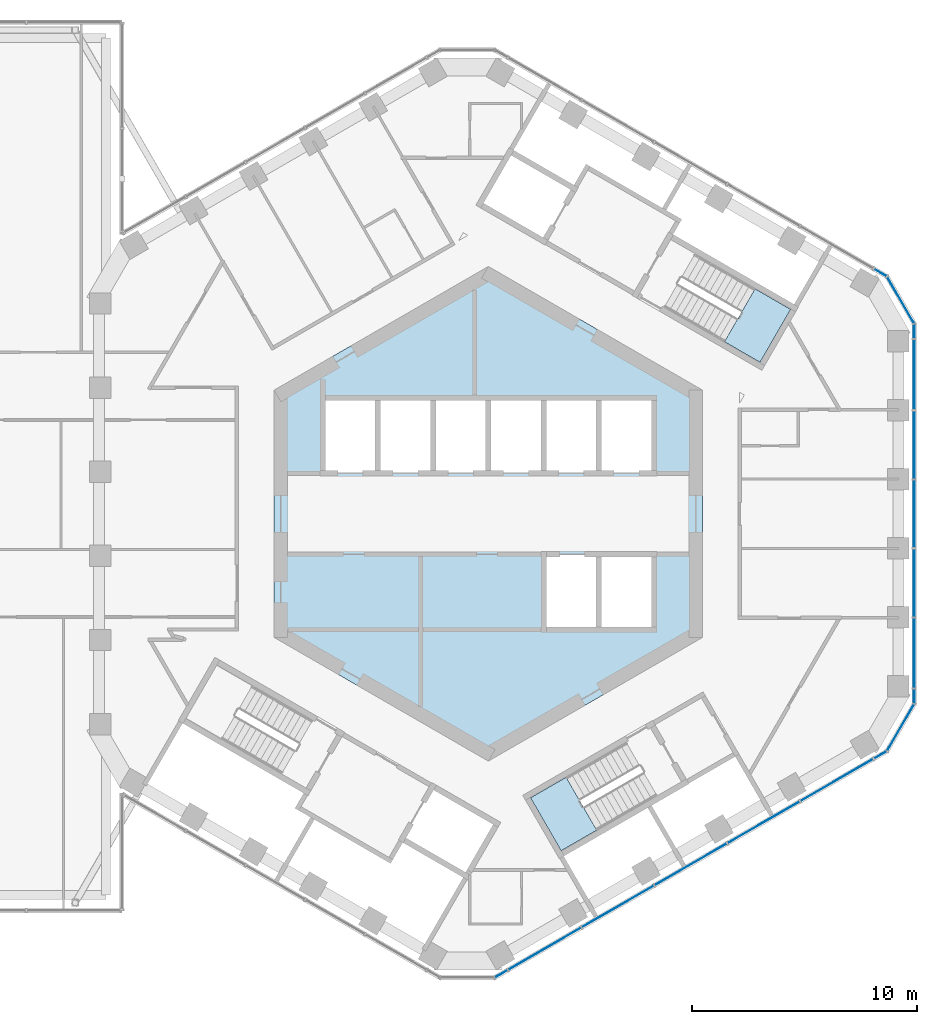
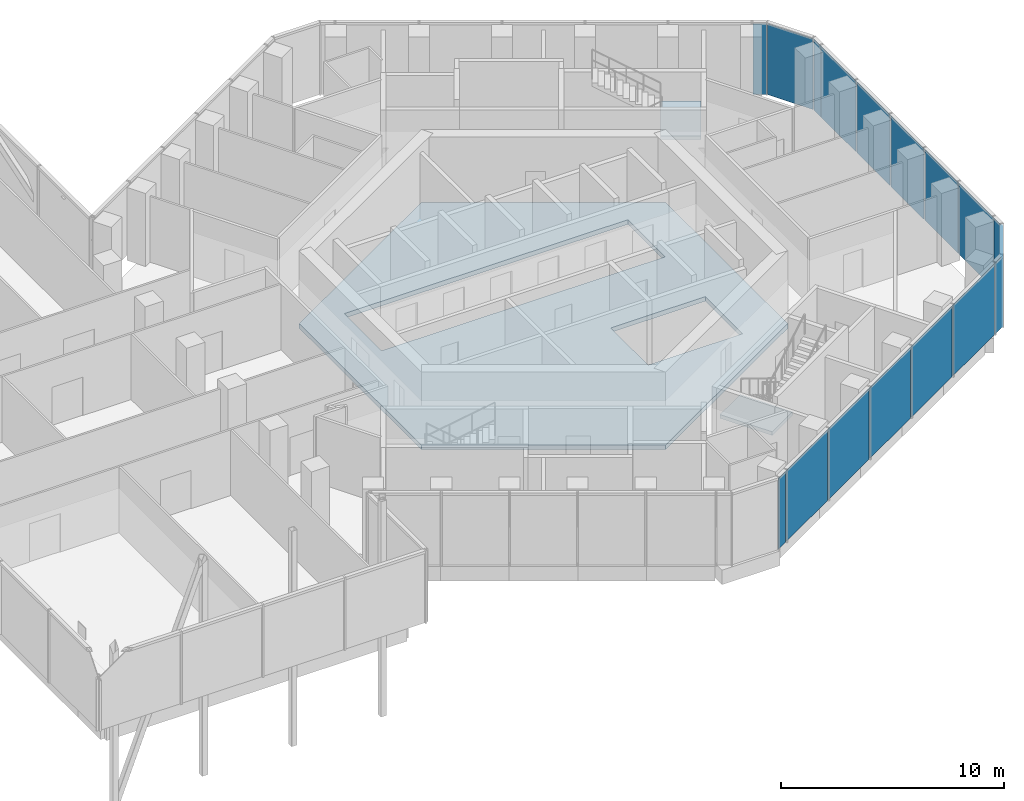
# One storey, part 11 of 21: 17 plates, 3 slabs, 7 elements without a shape of their own.
"""IFC4 building model written with IfcOpenShell, lengths in metres."""

from ifc_helpers import new_model, si_unit, direction, frame, origin, origin_2d, place, context, subcontext, project, spatial, polyline, rectangle, outline, extrude, material, layer, layer_set, type_object, element, aggregate, save


model = new_model("IFC4")

# Units and contexts
model_context = context("Model", 3, precision=1e-05, world=origin(), true_north=direction((0.0, 1.0)))
body_context = subcontext(model_context, "Body", "Model", "MODEL_VIEW")
ifc_project = project(units=[si_unit("LENGTHUNIT", "METRE"), si_unit("AREAUNIT", "SQUARE_METRE"), si_unit("VOLUMEUNIT", "CUBIC_METRE"), si_unit("PLANEANGLEUNIT", "RADIAN"), si_unit("MASSUNIT", "GRAM", prefix="KILO")], contexts=[model_context])

# Site, building, storey
site_placement = place(None, origin())
site = spatial("IfcSite", under=ifc_project, at=site_placement, CompositionType="ELEMENT")
building_placement = place(site_placement, origin())
building = spatial("IfcBuilding", under=site, at=building_placement, Name="Ayvan Gate Tower", CompositionType="ELEMENT")
storey_placement = place(building_placement, frame((0.0, 0.0, 206.10009765625)))
storey = spatial("IfcBuildingStorey", under=building, at=storey_placement, Name="L55", CompositionType="ELEMENT", Elevation=206.10009765625)

# Slab
ifc_material_1 = material(Name="Concrete C40/50", Category="concrete")
ifc_layer_1 = layer(ifc_material_1, 0.25)
ifc_layer_set_1 = layer_set([ifc_layer_1], Name="Concrete C40/50")
slab_type_1 = type_object("IfcSlabType", Name="SL-CORE-250", PredefinedType="FLOOR", material=ifc_layer_set_1)
slab_1_placement = place(storey_placement, frame((0.0, 0.0, -0.25)))
element("IfcSlab", 1, at=slab_1_placement, inside=storey, type_object=slab_type_1, Name="CS-L55", PredefinedType="FLOOR", context=body_context, shape_type="SweptSolid", body=[
    extrude(outline(polyline([(9.5, -5.48486328125), (0.0, -10.9697265625), (-9.5, -5.48486328125), (-9.5, 5.48486328125), (0.0, 10.9697265625), (9.5, 5.48486328125), (9.5, -5.48486328125)]), holes=[polyline([(-7.35009765625, 5.14990234375), (-7.35009765625, 1.800048828125), (7.35009765625, 1.800048828125), (7.35009765625, 5.14990234375), (-7.35009765625, 5.14990234375)]), polyline([(2.449951171875, -1.800048828125), (2.449951171875, -5.14990234375), (7.35009765625, -5.14990234375), (7.35009765625, -1.800048828125), (2.449951171875, -1.800048828125)])]), origin(), (0.0, 0.0, 1.0), 0.25),
])

# Stair, slab
stair_type = type_object("IfcStairType", Name="ST-EXIT", PredefinedType="HALF_TURN_STAIR", material=ifc_material_1)
stair_1_placement = place(storey_placement, origin())
stair_1 = element("IfcStair", 2, at=stair_1_placement, inside=storey, type_object=stair_type, Name="L55 Exit Stair S1", PredefinedType="HALF_TURN_STAIR")
ifc_layer_2 = layer(ifc_material_1, 0.199951171875)
ifc_layer_set_2 = layer_set([ifc_layer_2], Name="Concrete C40/50")
slab_type_2 = type_object("IfcSlabType", Name="SL-LANDING-200", PredefinedType="LANDING", material=ifc_layer_set_2)
slab_2_placement = place(storey_placement, frame((0.0, 0.0, 1.7998046875)))
slab_2 = element("IfcSlab", 3, at=slab_2_placement, type_object=slab_type_2, Name="STS1 landing 1", PredefinedType="LANDING", context=body_context, shape_type="SweptSolid", body=[
    extrude(outline(polyline([(10.473388671875, 7.630615234375), (12.049560546875, 6.720458984375), (13.404541015625, 9.0673828125), (11.828369140625, 9.9775390625), (10.473388671875, 7.630615234375)])), origin(), (0.0, 0.0, 1.0), 0.2001953125),
])
aggregate(stair_1, [slab_2])

stair_2_placement = place(storey_placement, origin())
stair_2 = element("IfcStair", 4, at=stair_2_placement, inside=storey, type_object=stair_type, Name="L55 Exit Stair S3", PredefinedType="HALF_TURN_STAIR")
slab_3_placement = place(storey_placement, frame((0.0, 0.0, 1.7998046875)))
slab_3 = element("IfcSlab", 5, at=slab_3_placement, type_object=slab_type_2, Name="STS3 landing 1", PredefinedType="LANDING", context=body_context, shape_type="SweptSolid", body=[
    extrude(outline(polyline([(3.449951171875, -11.685546875), (1.873779296875, -12.595458984375), (3.228759765625, -14.9423828125), (4.804931640625, -14.032470703125), (3.449951171875, -11.685546875)])), origin(), (0.0, 0.0, 1.0), 0.2001953125),
])
aggregate(stair_2, [slab_3])

# Curtain wall, plates
ifc_material_2 = material(Name="Bronze anodised aluminium", Category="aluminium")
ifc_layer_3 = layer(ifc_material_2, 0.199951171875)
ifc_layer_set_3 = layer_set([ifc_layer_3], Name="Bronze anodised aluminium")
curtain_wall_type_1 = type_object("IfcCurtainWallType", Name="Stick curtain wall CW-2", PredefinedType="NOTDEFINED", material=ifc_layer_set_3)
curtain_wall_1_placement = place(storey_placement, origin())
curtain_wall_1 = element("IfcCurtainWall", 6, at=curtain_wall_1_placement, inside=storey, type_object=curtain_wall_type_1, Name="Stick curtain wall CW-2 L55", PredefinedType="NOTDEFINED")
ifc_material_3 = material(Name="Clear low-iron laminated glass", Category="glass")
ifc_layer_4 = layer(ifc_material_3, 0.028076171875)
ifc_layer_set_4 = layer_set([ifc_layer_4], Name="Clear low-iron laminated glass")
plate_type_1 = type_object("IfcPlateType", Name="Stick curtain wall CW-2 glass panel", PredefinedType="CURTAIN_PANEL", material=ifc_layer_set_4)
plate_1_placement = place(storey_placement, frame((2.48486328125, -19.29736328125, 0.0), z_axis=(0.0, 0.0, 1.0), x_axis=(0.866025403784, 0.5, 0.0)))
plate_1 = element("IfcPlate", 7, at=plate_1_placement, type_object=plate_type_1, Name="CW-2 glass panel 1", PredefinedType="CURTAIN_PANEL", context=body_context, shape_type="SweptSolid", body=[
    extrude(rectangle(XDim=3.73291015625, YDim=0.028076171875, at=origin_2d()), origin(), (0.0, 0.0, 1.0), 3.8798828125),
])
plate_2_placement = place(storey_placement, frame((5.746826171875, -17.4140625, 0.0), z_axis=(0.0, 0.0, 1.0), x_axis=(0.866025403784, 0.5, 0.0)))
plate_2 = element("IfcPlate", 8, at=plate_2_placement, type_object=plate_type_1, Name="CW-2 glass panel 2", PredefinedType="CURTAIN_PANEL", context=body_context, shape_type="SweptSolid", body=[
    extrude(rectangle(XDim=3.659912109375, YDim=0.028076171875, at=origin_2d()), origin(), (0.0, 0.0, 1.0), 3.8798828125),
])
plate_3_placement = place(storey_placement, frame((8.9775390625, -15.548828125, 0.0), z_axis=(0.0, 0.0, 1.0), x_axis=(0.866025403784, 0.5, 0.0)))
plate_3 = element("IfcPlate", 9, at=plate_3_placement, type_object=plate_type_1, Name="CW-2 glass panel 3", PredefinedType="CURTAIN_PANEL", context=body_context, shape_type="SweptSolid", body=[
    extrude(rectangle(XDim=3.660888671875, YDim=0.028076171875, at=origin_2d()), origin(), (0.0, 0.0, 1.0), 3.8798828125),
])
plate_4_placement = place(storey_placement, frame((12.208251953125, -13.68359375, 0.0), z_axis=(0.0, 0.0, 1.0), x_axis=(0.866025403784, 0.5, 0.0)))
plate_4 = element("IfcPlate", 10, at=plate_4_placement, type_object=plate_type_1, Name="CW-2 glass panel 4", PredefinedType="CURTAIN_PANEL", context=body_context, shape_type="SweptSolid", body=[
    extrude(rectangle(XDim=3.659912109375, YDim=0.028076171875, at=origin_2d()), origin(), (0.0, 0.0, 1.0), 3.8798828125),
])
plate_5_placement = place(storey_placement, frame((15.4697265625, -11.800537109375, 0.0), z_axis=(0.0, 0.0, 1.0), x_axis=(0.866025403784, 0.5, 0.0)))
plate_5 = element("IfcPlate", 11, at=plate_5_placement, type_object=plate_type_1, Name="CW-2 glass panel 5", PredefinedType="CURTAIN_PANEL", context=body_context, shape_type="SweptSolid", body=[
    extrude(rectangle(XDim=3.732421875, YDim=0.028076171875, at=origin_2d()), origin(), (0.0, 0.0, 1.0), 3.8798828125),
])
aggregate(curtain_wall_1, [plate_1, plate_2, plate_3, plate_4, plate_5])

curtain_wall_2_placement = place(storey_placement, origin())
curtain_wall_2 = element("IfcCurtainWall", 12, at=curtain_wall_2_placement, inside=storey, type_object=curtain_wall_type_1, Name="Stick curtain wall CW-2 L55", PredefinedType="NOTDEFINED")
plate_6_placement = place(storey_placement, frame((18.886474609375, -6.187255859375, 0.0), z_axis=(0.0, 0.0, 1.0), x_axis=(0.0, 1.0, 0.0)))
plate_6 = element("IfcPlate", 13, at=plate_6_placement, type_object=plate_type_1, Name="CW-2 glass panel 1", PredefinedType="CURTAIN_PANEL", context=body_context, shape_type="SweptSolid", body=[
    extrude(rectangle(XDim=3.123046875, YDim=0.028076171875, at=origin_2d()), origin(), (0.0, 0.0, 1.0), 3.8798828125),
])
plate_7_placement = place(storey_placement, frame((18.886474609375, -3.060302734375, 0.0), z_axis=(0.0, 0.0, 1.0), x_axis=(0.0, 1.0, 0.0)))
plate_7 = element("IfcPlate", 14, at=plate_7_placement, type_object=plate_type_1, Name="CW-2 glass panel 2", PredefinedType="CURTAIN_PANEL", context=body_context, shape_type="SweptSolid", body=[
    extrude(rectangle(XDim=2.990966796875, YDim=0.028076171875, at=origin_2d()), origin(), (0.0, 0.0, 1.0), 3.8798828125),
])
plate_8_placement = place(storey_placement, frame((18.886474609375, 0.000244140625, 0.0), z_axis=(0.0, 0.0, 1.0), x_axis=(0.0, 1.0, 0.0)))
plate_8 = element("IfcPlate", 15, at=plate_8_placement, type_object=plate_type_1, Name="CW-2 glass panel 3", PredefinedType="CURTAIN_PANEL", context=body_context, shape_type="SweptSolid", body=[
    extrude(rectangle(XDim=2.989990234375, YDim=0.028076171875, at=origin_2d()), origin(), (0.0, 0.0, 1.0), 3.8798828125),
])
plate_9_placement = place(storey_placement, frame((18.886474609375, 3.060791015625, 0.0), z_axis=(0.0, 0.0, 1.0), x_axis=(0.0, 1.0, 0.0)))
plate_9 = element("IfcPlate", 16, at=plate_9_placement, type_object=plate_type_1, Name="CW-2 glass panel 4", PredefinedType="CURTAIN_PANEL", context=body_context, shape_type="SweptSolid", body=[
    extrude(rectangle(XDim=2.990966796875, YDim=0.028076171875, at=origin_2d()), origin(), (0.0, 0.0, 1.0), 3.8798828125),
])
plate_10_placement = place(storey_placement, frame((18.886474609375, 6.1875, 0.0), z_axis=(0.0, 0.0, 1.0), x_axis=(0.0, 1.0, 0.0)))
plate_10 = element("IfcPlate", 17, at=plate_10_placement, type_object=plate_type_1, Name="CW-2 glass panel 5", PredefinedType="CURTAIN_PANEL", context=body_context, shape_type="SweptSolid", body=[
    extrude(rectangle(XDim=3.12255859375, YDim=0.028076171875, at=origin_2d()), origin(), (0.0, 0.0, 1.0), 3.8798828125),
])
aggregate(curtain_wall_2, [plate_6, plate_7, plate_8, plate_9, plate_10])

# Curtain wall, plate
ifc_layer_5 = layer(ifc_material_2, 0.199951171875)
ifc_layer_set_5 = layer_set([ifc_layer_5], Name="Bronze anodised aluminium")
curtain_wall_type_2 = type_object("IfcCurtainWallType", Name="Stick curtain wall CW-6", PredefinedType="NOTDEFINED", material=ifc_layer_set_5)
curtain_wall_3_placement = place(storey_placement, origin())
curtain_wall_3 = element("IfcCurtainWall", 18, at=curtain_wall_3_placement, inside=storey, type_object=curtain_wall_type_2, Name="Stick curtain wall CW-6 L55", PredefinedType="NOTDEFINED")
ifc_layer_6 = layer(ifc_material_3, 0.028076171875)
ifc_layer_set_6 = layer_set([ifc_layer_6], Name="Clear low-iron laminated glass")
plate_type_2 = type_object("IfcPlateType", Name="Stick curtain wall CW-6 glass panel", PredefinedType="CURTAIN_PANEL", material=ifc_layer_set_6)
plate_11_placement = place(storey_placement, frame((0.5673828125, -20.404296875, 0.0), z_axis=(0.0, 0.0, 1.0), x_axis=(0.866025403784, 0.5, 0.0)))
plate_11 = element("IfcPlate", 19, at=plate_11_placement, type_object=plate_type_2, Name="CW-6 glass panel 3", PredefinedType="CURTAIN_PANEL", context=body_context, shape_type="SweptSolid", body=[
    extrude(rectangle(XDim=0.625, YDim=0.028076171875, at=origin_2d()), origin(), (0.0, 0.0, 1.0), 3.8798828125),
])
aggregate(curtain_wall_3, [plate_11])

# Curtain wall, plates
curtain_wall_4_placement = place(storey_placement, origin())
curtain_wall_4 = element("IfcCurtainWall", 20, at=curtain_wall_4_placement, inside=storey, type_object=curtain_wall_type_2, Name="Stick curtain wall CW-6 L55", PredefinedType="NOTDEFINED")
plate_12_placement = place(storey_placement, frame((17.386962890625, -10.693603515625, 0.0), z_axis=(0.0, 0.0, 1.0), x_axis=(0.866025403784, 0.5, 0.0)))
plate_12 = element("IfcPlate", 21, at=plate_12_placement, type_object=plate_type_2, Name="CW-6 glass panel 1", PredefinedType="CURTAIN_PANEL", context=body_context, shape_type="SweptSolid", body=[
    extrude(rectangle(XDim=0.625, YDim=0.028076171875, at=origin_2d()), origin(), (0.0, 0.0, 1.0), 3.8798828125),
])
plate_13_placement = place(storey_placement, frame((18.282958984375, -9.479248046875, 0.0), z_axis=(0.0, 0.0, 1.0), x_axis=(0.5, 0.866025403784, 0.0)))
plate_13 = element("IfcPlate", 22, at=plate_13_placement, type_object=plate_type_2, Name="CW-6 glass panel 2", PredefinedType="CURTAIN_PANEL", context=body_context, shape_type="SweptSolid", body=[
    extrude(rectangle(XDim=2.364501953125, YDim=0.028076171875, at=origin_2d()), origin(), (0.0, 0.0, 1.0), 3.8798828125),
])
plate_14_placement = place(storey_placement, frame((18.886474609375, -8.09619140625, 0.0), z_axis=(0.0, 0.0, 1.0), x_axis=(0.0, 1.0, 0.0)))
plate_14 = element("IfcPlate", 23, at=plate_14_placement, type_object=plate_type_2, Name="CW-6 glass panel 3", PredefinedType="CURTAIN_PANEL", context=body_context, shape_type="SweptSolid", body=[
    extrude(rectangle(XDim=0.625, YDim=0.028076171875, at=origin_2d()), origin(), (0.0, 0.0, 1.0), 3.8798828125),
])
aggregate(curtain_wall_4, [plate_12, plate_13, plate_14])

curtain_wall_5_placement = place(storey_placement, origin())
curtain_wall_5 = element("IfcCurtainWall", 24, at=curtain_wall_5_placement, inside=storey, type_object=curtain_wall_type_2, Name="Stick curtain wall CW-6 L55", PredefinedType="NOTDEFINED")
plate_15_placement = place(storey_placement, frame((18.886474609375, 8.09619140625, 0.0), z_axis=(0.0, 0.0, 1.0), x_axis=(0.0, 1.0, 0.0)))
plate_15 = element("IfcPlate", 25, at=plate_15_placement, type_object=plate_type_2, Name="CW-6 glass panel 1", PredefinedType="CURTAIN_PANEL", context=body_context, shape_type="SweptSolid", body=[
    extrude(rectangle(XDim=0.625, YDim=0.028076171875, at=origin_2d()), origin(), (0.0, 0.0, 1.0), 3.8798828125),
])
plate_16_placement = place(storey_placement, frame((18.282958984375, 9.479248046875, 0.0), z_axis=(0.0, 0.0, 1.0), x_axis=(-0.5, 0.866025403784, 0.0)))
plate_16 = element("IfcPlate", 26, at=plate_16_placement, type_object=plate_type_2, Name="CW-6 glass panel 2", PredefinedType="CURTAIN_PANEL", context=body_context, shape_type="SweptSolid", body=[
    extrude(rectangle(XDim=2.364501953125, YDim=0.028076171875, at=origin_2d()), origin(), (0.0, 0.0, 1.0), 3.8798828125),
])
plate_17_placement = place(storey_placement, frame((17.386962890625, 10.693603515625, 0.0), z_axis=(0.0, 0.0, 1.0), x_axis=(-0.866025403784, 0.5, 0.0)))
plate_17 = element("IfcPlate", 27, at=plate_17_placement, type_object=plate_type_2, Name="CW-6 glass panel 3", PredefinedType="CURTAIN_PANEL", context=body_context, shape_type="SweptSolid", body=[
    extrude(rectangle(XDim=0.625, YDim=0.028076171875, at=origin_2d()), origin(), (0.0, 0.0, 1.0), 3.8798828125),
])
aggregate(curtain_wall_5, [plate_15, plate_16, plate_17])

save(model, "model.ifc")
